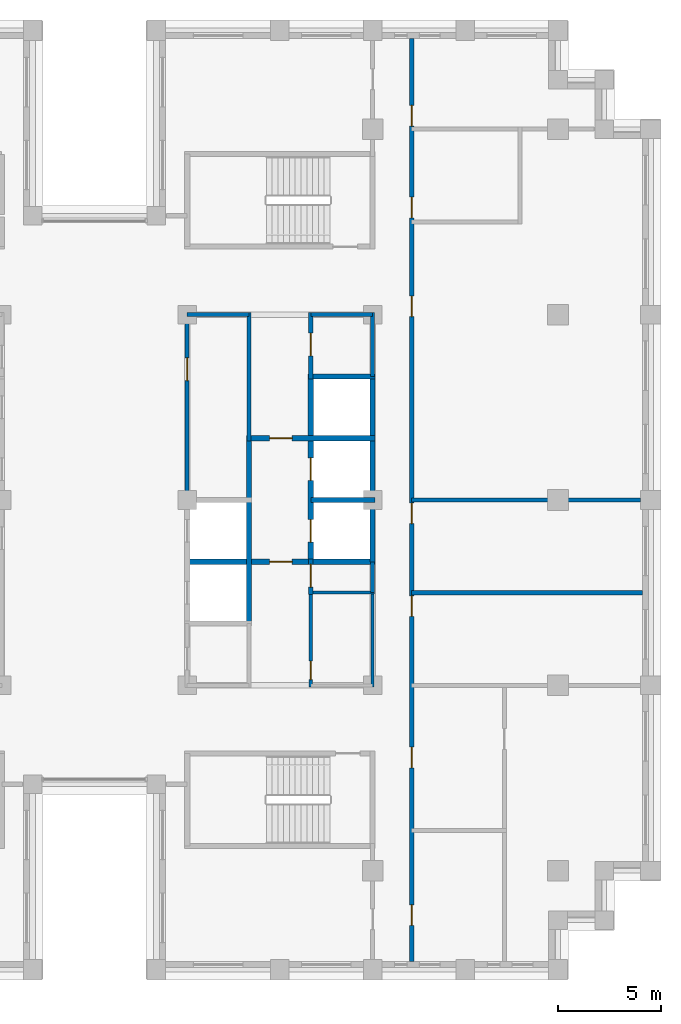
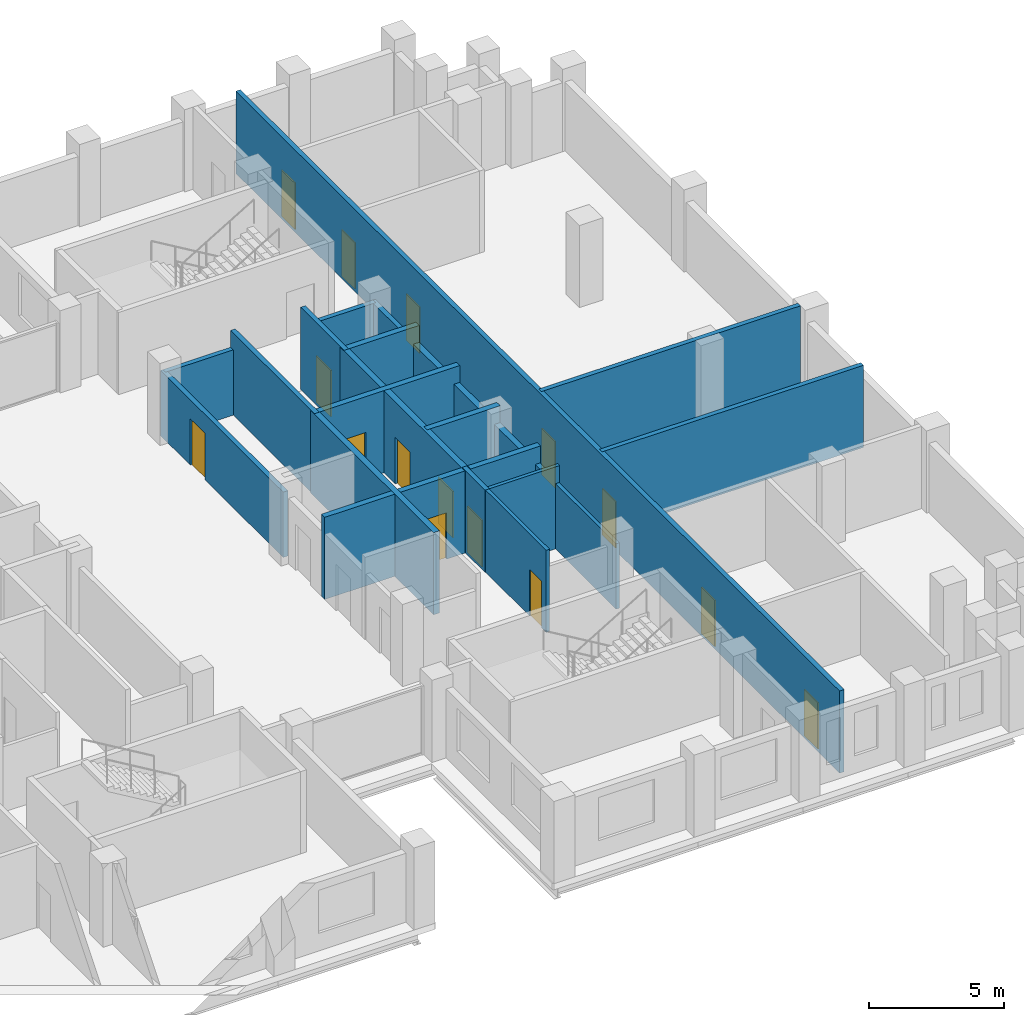
# One storey, part 9 of 15: 21 walls, 15 doors, 15 openings.
"""IFC4 building model written with IfcOpenShell, lengths in metres."""

from ifc_helpers import new_model, si_unit, direction, frame, frame_2d, origin, place, context, subcontext, project, spatial, rectangle, extrude, material, layer, layer_set, type_object, element, fill, save


model = new_model("IFC4")

# Units and contexts
model_context = context("Model", 3, precision=1e-05, world=origin(), true_north=direction((0.0, 1.0)))
body_context = subcontext(model_context, "Body", "Model", "MODEL_VIEW")
ifc_project = project(units=[si_unit("LENGTHUNIT", "METRE"), si_unit("AREAUNIT", "SQUARE_METRE"), si_unit("VOLUMEUNIT", "CUBIC_METRE"), si_unit("PLANEANGLEUNIT", "RADIAN"), si_unit("MASSUNIT", "GRAM", prefix="KILO")], contexts=[model_context])

# Site, building, storey
site_placement = place(None, origin())
site = spatial("IfcSite", under=ifc_project, at=site_placement, CompositionType="ELEMENT")
building_placement = place(site_placement, origin())
building = spatial("IfcBuilding", under=site, at=building_placement, Name="Corbelhall Arena Tower", CompositionType="ELEMENT")
storey_placement = place(building_placement, frame((0.0, 0.0, 216.0)))
storey = spatial("IfcBuildingStorey", under=building, at=storey_placement, Name="L45", CompositionType="ELEMENT", Elevation=216.0)

# Wall, openings, doors
ifc_material_1 = material(Name="Gypsum board on steel stud, acoustic", Category="steel")
ifc_layer_1 = layer(ifc_material_1, 0.199951171875)
ifc_layer_set_1 = layer_set([ifc_layer_1], Name="IN-W-DM200")
wall_type_1 = type_object("IfcWallType", Name="IN-W-DM200", PredefinedType="PARTITIONING", material=ifc_layer_set_1)
wall_1_placement = place(storey_placement, frame((15.39990234375, 22.39990234375, 0.0), z_axis=(0.0, 0.0, 1.0), x_axis=(0.0, -1.0, 0.0)))
wall_1 = element("IfcWall", 1, at=wall_1_placement, inside=storey, type_object=wall_type_1, Name="Partition 026", PredefinedType="PARTITIONING", context=body_context, shape_type="SweptSolid", body=[
    extrude(rectangle(XDim=44.7998046875, YDim=0.199951171875, at=frame_2d((22.39990234375, 0.0))), origin(), (0.0, 0.0, 1.0), 3.719970703125),
])
opening_1_placement = place(wall_1_placement, frame((12.5, 0.0, 0.0)))
opening_1 = element("IfcOpeningElement", 2, at=opening_1_placement, cuts=wall_1, Name="Opening 13032", PredefinedType="OPENING", context=body_context, shape_type="SweptSolid", body=[
    extrude(rectangle(XDim=1.0, YDim=2.10009765625, at=frame_2d((0.5, 1.050048828125))), frame((0.0, 0.10009765625, 0.0), z_axis=(0.0, -1.0, 0.0), x_axis=(1.0, 0.0, 0.0)), (0.0, 0.0, 1.0), 0.199951171875),
])
opening_2_placement = place(wall_1_placement, frame((7.699951171875, 0.0, 0.0)))
opening_2 = element("IfcOpeningElement", 3, at=opening_2_placement, cuts=wall_1, Name="Opening 13033", PredefinedType="OPENING", context=body_context, shape_type="SweptSolid", body=[
    extrude(rectangle(XDim=1.0, YDim=2.10009765625, at=frame_2d((0.5, 1.050048828125))), frame((0.0, 0.10009765625, 0.0), z_axis=(0.0, -1.0, 0.0), x_axis=(1.0, 0.0, 0.0)), (0.0, 0.0, 1.0), 0.199951171875),
])
opening_3_placement = place(wall_1_placement, frame((3.25, 0.0, 0.0)))
opening_3 = element("IfcOpeningElement", 4, at=opening_3_placement, cuts=wall_1, Name="Opening 13034", PredefinedType="OPENING", context=body_context, shape_type="SweptSolid", body=[
    extrude(rectangle(XDim=1.0, YDim=2.10009765625, at=frame_2d((0.5, 1.050048828125))), frame((0.0, 0.10009765625, 0.0), z_axis=(0.0, -1.0, 0.0), x_axis=(1.0, 0.0, 0.0)), (0.0, 0.0, 1.0), 0.199951171875),
])
opening_4_placement = place(wall_1_placement, frame((42.050048828125, 0.0, 0.0)))
opening_4 = element("IfcOpeningElement", 5, at=opening_4_placement, cuts=wall_1, Name="Opening 13035", PredefinedType="OPENING", context=body_context, shape_type="SweptSolid", body=[
    extrude(rectangle(XDim=1.0, YDim=2.10009765625, at=frame_2d((0.5, 1.050048828125))), frame((0.0, 0.10009765625, 0.0), z_axis=(0.0, -1.0, 0.0), x_axis=(1.0, 0.0, 0.0)), (0.0, 0.0, 1.0), 0.199951171875),
])
opening_5_placement = place(wall_1_placement, frame((34.39990234375, 0.0, 0.0)))
opening_5 = element("IfcOpeningElement", 6, at=opening_5_placement, cuts=wall_1, Name="Opening 13036", PredefinedType="OPENING", context=body_context, shape_type="SweptSolid", body=[
    extrude(rectangle(XDim=1.0, YDim=2.10009765625, at=frame_2d((0.5, 1.050048828125))), frame((0.0, 0.10009765625, 0.0), z_axis=(0.0, -1.0, 0.0), x_axis=(1.0, 0.0, 0.0)), (0.0, 0.0, 1.0), 0.199951171875),
])
opening_6_placement = place(wall_1_placement, frame((27.050048828125, 0.0, 0.0)))
opening_6 = element("IfcOpeningElement", 7, at=opening_6_placement, cuts=wall_1, Name="Opening 13038", PredefinedType="OPENING", context=body_context, shape_type="SweptSolid", body=[
    extrude(rectangle(XDim=1.0, YDim=2.10009765625, at=frame_2d((0.5, 1.050048828125))), frame((0.0, 0.10009765625, 0.0), z_axis=(0.0, -1.0, 0.0), x_axis=(1.0, 0.0, 0.0)), (0.0, 0.0, 1.0), 0.199951171875),
])
opening_7_placement = place(wall_1_placement, frame((22.550048828125, 0.0, 0.0)))
opening_7 = element("IfcOpeningElement", 8, at=opening_7_placement, cuts=wall_1, Name="Opening 13039", PredefinedType="OPENING", context=body_context, shape_type="SweptSolid", body=[
    extrude(rectangle(XDim=1.0, YDim=2.10009765625, at=frame_2d((0.5, 1.050048828125))), frame((0.0, 0.10009765625, 0.0), z_axis=(0.0, -1.0, 0.0), x_axis=(1.0, 0.0, 0.0)), (0.0, 0.0, 1.0), 0.199951171875),
])
ifc_material_2 = material(Name="Steel door set", Category="steel")
door_type_1 = type_object("IfcDoorType", Name="IN-D-SW100", OperationType="NOTDEFINED", PredefinedType="DOOR", material=ifc_material_2)
door_1_placement = place(opening_1_placement, origin())
door_1 = element("IfcDoor", 9, at=door_1_placement, inside=storey, type_object=door_type_1, Name="Door 032", OperationType="SINGLE_SWING_LEFT", OverallHeight=2.10009765625, OverallWidth=1.0, PredefinedType="DOOR", context=body_context, shape_type="SweptSolid", body=[
    extrude(rectangle(XDim=1.0, YDim=2.10009765625, at=frame_2d((0.5, 1.050048828125))), frame((0.0, 0.02490234375, 0.0), z_axis=(0.0, -1.0, 0.0), x_axis=(1.0, 0.0, 0.0)), (0.0, 0.0, 1.0), 0.050048828125),
])
fill(opening_1, door_1)
door_2_placement = place(opening_2_placement, origin())
door_2 = element("IfcDoor", 10, at=door_2_placement, inside=storey, type_object=door_type_1, Name="Door 033", OperationType="SINGLE_SWING_RIGHT", OverallHeight=2.10009765625, OverallWidth=1.0, PredefinedType="DOOR", context=body_context, shape_type="SweptSolid", body=[
    extrude(rectangle(XDim=1.0, YDim=2.10009765625, at=frame_2d((0.5, 1.050048828125))), frame((0.0, 0.02490234375, 0.0), z_axis=(0.0, -1.0, 0.0), x_axis=(1.0, 0.0, 0.0)), (0.0, 0.0, 1.0), 0.050048828125),
])
fill(opening_2, door_2)
door_3_placement = place(opening_3_placement, origin())
door_3 = element("IfcDoor", 11, at=door_3_placement, inside=storey, type_object=door_type_1, Name="Door 034", OperationType="SINGLE_SWING_LEFT", OverallHeight=2.10009765625, OverallWidth=1.0, PredefinedType="DOOR", context=body_context, shape_type="SweptSolid", body=[
    extrude(rectangle(XDim=1.0, YDim=2.10009765625, at=frame_2d((0.5, 1.050048828125))), frame((0.0, 0.02490234375, 0.0), z_axis=(0.0, -1.0, 0.0), x_axis=(1.0, 0.0, 0.0)), (0.0, 0.0, 1.0), 0.050048828125),
])
fill(opening_3, door_3)
door_4_placement = place(opening_4_placement, origin())
door_4 = element("IfcDoor", 12, at=door_4_placement, inside=storey, type_object=door_type_1, Name="Door 035", OperationType="SINGLE_SWING_RIGHT", OverallHeight=2.10009765625, OverallWidth=1.0, PredefinedType="DOOR", context=body_context, shape_type="SweptSolid", body=[
    extrude(rectangle(XDim=1.0, YDim=2.10009765625, at=frame_2d((0.5, 1.050048828125))), frame((0.0, 0.02490234375, 0.0), z_axis=(0.0, -1.0, 0.0), x_axis=(1.0, 0.0, 0.0)), (0.0, 0.0, 1.0), 0.050048828125),
])
fill(opening_4, door_4)
door_5_placement = place(opening_5_placement, origin())
door_5 = element("IfcDoor", 13, at=door_5_placement, inside=storey, type_object=door_type_1, Name="Door 036", OperationType="SINGLE_SWING_LEFT", OverallHeight=2.10009765625, OverallWidth=1.0, PredefinedType="DOOR", context=body_context, shape_type="SweptSolid", body=[
    extrude(rectangle(XDim=1.0, YDim=2.10009765625, at=frame_2d((0.5, 1.050048828125))), frame((0.0, 0.02490234375, 0.0), z_axis=(0.0, -1.0, 0.0), x_axis=(1.0, 0.0, 0.0)), (0.0, 0.0, 1.0), 0.050048828125),
])
fill(opening_5, door_5)
door_6_placement = place(opening_6_placement, origin())
door_6 = element("IfcDoor", 14, at=door_6_placement, inside=storey, type_object=door_type_1, Name="Door 038", OperationType="SINGLE_SWING_LEFT", OverallHeight=2.10009765625, OverallWidth=1.0, PredefinedType="DOOR", context=body_context, shape_type="SweptSolid", body=[
    extrude(rectangle(XDim=1.0, YDim=2.10009765625, at=frame_2d((0.5, 1.050048828125))), frame((0.0, 0.02490234375, 0.0), z_axis=(0.0, -1.0, 0.0), x_axis=(1.0, 0.0, 0.0)), (0.0, 0.0, 1.0), 0.050048828125),
])
fill(opening_6, door_6)
door_7_placement = place(opening_7_placement, origin())
door_7 = element("IfcDoor", 15, at=door_7_placement, inside=storey, type_object=door_type_1, Name="Door 039", OperationType="SINGLE_SWING_RIGHT", OverallHeight=2.10009765625, OverallWidth=1.0, PredefinedType="DOOR", context=body_context, shape_type="SweptSolid", body=[
    extrude(rectangle(XDim=1.0, YDim=2.10009765625, at=frame_2d((0.5, 1.050048828125))), frame((0.0, 0.02490234375, 0.0), z_axis=(0.0, -1.0, 0.0), x_axis=(1.0, 0.0, 0.0)), (0.0, 0.0, 1.0), 0.050048828125),
])
fill(opening_7, door_7)

# Walls
wall_2_placement = place(storey_placement, frame((15.39990234375, -4.5, 0.0), z_axis=(0.0, 0.0, 1.0), x_axis=(1.0, 0.0, 0.0)))
element("IfcWall", 16, at=wall_2_placement, inside=storey, type_object=wall_type_1, Name="Partition 028", PredefinedType="PARTITIONING", context=body_context, shape_type="SweptSolid", body=[
    extrude(rectangle(XDim=11.2001953125, YDim=0.199951171875, at=frame_2d((5.60009765625, 0.0))), origin(), (0.0, 0.0, 1.0), 3.719970703125),
])
wall_3_placement = place(storey_placement, frame((26.5, 0.0, 0.0), z_axis=(0.0, 0.0, 1.0), x_axis=(-1.0, 0.0, 0.0)))
element("IfcWall", 17, at=wall_3_placement, inside=storey, type_object=wall_type_1, Name="Partition 033", PredefinedType="PARTITIONING", context=body_context, shape_type="SweptSolid", body=[
    extrude(rectangle(XDim=11.10009765625, YDim=0.199951171875, at=frame_2d((5.550048828125, 0.0))), origin(), (0.0, 0.0, 1.0), 3.719970703125),
])
ifc_material_3 = material(Name="Concrete block wall", Category="concrete")
ifc_layer_2 = layer(ifc_material_3, 0.199951171875)
ifc_layer_set_2 = layer_set([ifc_layer_2], Name="IN-W-RS200")
wall_type_2 = type_object("IfcWallType", Name="IN-W-RS200", PredefinedType="SOLIDWALL", material=ifc_layer_set_2)
wall_4_placement = place(storey_placement, frame((7.5, 9.10009765625, 0.0), z_axis=(0.0, 0.0, 1.0), x_axis=(0.0, -1.0, 0.0)))
element("IfcWall", 18, at=wall_4_placement, inside=storey, type_object=wall_type_2, Name="Partition 050", PredefinedType="SOLIDWALL", context=body_context, shape_type="SweptSolid", body=[
    extrude(rectangle(XDim=6.22509765625, YDim=0.199951171875, at=frame_2d((3.112548828125, 0.0))), origin(), (0.0, 0.0, 1.0), 3.719970703125),
])

# Wall, opening, door
wall_5_placement = place(storey_placement, frame((10.5, -2.875, 0.0), z_axis=(0.0, 0.0, 1.0), x_axis=(0.0, -1.0, 0.0)))
wall_5 = element("IfcWall", 19, at=wall_5_placement, inside=storey, type_object=wall_type_2, Name="Partition 051", PredefinedType="SOLIDWALL", context=body_context, shape_type="SweptSolid", body=[
    extrude(rectangle(XDim=1.699951171875, YDim=0.199951171875, at=frame_2d((0.85009765625, 0.0))), origin(), (0.0, 0.0, 1.0), 3.719970703125),
])
opening_8_placement = place(wall_5_placement, frame((0.25, 0.0, 0.0)))
opening_8 = element("IfcOpeningElement", 20, at=opening_8_placement, cuts=wall_5, Name="Opening 13013", PredefinedType="OPENING", context=body_context, shape_type="SweptSolid", body=[
    extrude(rectangle(XDim=1.10009765625, YDim=2.10009765625, at=frame_2d((0.550048828125, 1.050048828125))), frame((0.0, 0.10009765625, 0.0), z_axis=(0.0, -1.0, 0.0), x_axis=(1.0, 0.0, 0.0)), (0.0, 0.0, 1.0), 0.199951171875),
])
door_type_2 = type_object("IfcDoorType", Name="IN-D-FD110", OperationType="NOTDEFINED", PredefinedType="DOOR", material=ifc_material_2)
door_8_placement = place(opening_8_placement, origin())
door_8 = element("IfcDoor", 21, at=door_8_placement, inside=storey, type_object=door_type_2, Name="Door 013", OperationType="SINGLE_SWING_RIGHT", OverallHeight=2.10009765625, OverallWidth=1.10009765625, PredefinedType="DOOR", context=body_context, shape_type="SweptSolid", body=[
    extrude(rectangle(XDim=1.10009765625, YDim=2.10009765625, at=frame_2d((0.550048828125, 1.050048828125))), frame((0.0, 0.02490234375, 0.0), z_axis=(0.0, -1.0, 0.0), x_axis=(1.0, 0.0, 0.0)), (0.0, 0.0, 1.0), 0.050048828125),
])
fill(opening_8, door_8)

wall_6_placement = place(storey_placement, frame((10.5, 9.10009765625, 0.0), z_axis=(0.0, 0.0, 1.0), x_axis=(0.0, -1.0, 0.0)))
wall_6 = element("IfcWall", 22, at=wall_6_placement, inside=storey, type_object=wall_type_2, Name="Partition 053", PredefinedType="SOLIDWALL", context=body_context, shape_type="SweptSolid", body=[
    extrude(rectangle(XDim=3.22509765625, YDim=0.199951171875, at=frame_2d((1.612548828125, 0.0))), origin(), (0.0, 0.0, 1.0), 3.719970703125),
])
opening_9_placement = place(wall_6_placement, frame((1.0, 0.0, 0.0)))
opening_9 = element("IfcOpeningElement", 23, at=opening_9_placement, cuts=wall_6, Name="Opening 13014", PredefinedType="OPENING", context=body_context, shape_type="SweptSolid", body=[
    extrude(rectangle(XDim=1.10009765625, YDim=2.10009765625, at=frame_2d((0.550048828125, 1.050048828125))), frame((0.0, 0.10009765625, 0.0), z_axis=(0.0, -1.0, 0.0), x_axis=(1.0, 0.0, 0.0)), (0.0, 0.0, 1.0), 0.199951171875),
])
door_9_placement = place(opening_9_placement, origin())
door_9 = element("IfcDoor", 24, at=door_9_placement, inside=storey, type_object=door_type_2, Name="Door 014", OperationType="SINGLE_SWING_LEFT", OverallHeight=2.10009765625, OverallWidth=1.10009765625, PredefinedType="DOOR", context=body_context, shape_type="SweptSolid", body=[
    extrude(rectangle(XDim=1.10009765625, YDim=2.10009765625, at=frame_2d((0.550048828125, 1.050048828125))), frame((0.0, 0.02490234375, 0.0), z_axis=(0.0, -1.0, 0.0), x_axis=(1.0, 0.0, 0.0)), (0.0, 0.0, 1.0), 0.050048828125),
])
fill(opening_9, door_9)

ifc_layer_3 = layer(ifc_material_3, 0.199951171875)
ifc_layer_set_3 = layer_set([ifc_layer_3], Name="IN-W-RS200 under beam 762 mm")
wall_type_3 = type_object("IfcWallType", Name="IN-W-RS200 under beam 762 mm", PredefinedType="SOLIDWALL", material=ifc_layer_set_3)
wall_7_placement = place(storey_placement, frame((4.5, 0.0, 0.0), z_axis=(0.0, 0.0, 1.0), x_axis=(0.0, 1.0, 0.0)))
wall_7 = element("IfcWall", 25, at=wall_7_placement, inside=storey, type_object=wall_type_3, Name="Partition 046", PredefinedType="SOLIDWALL", context=body_context, shape_type="SweptSolid", body=[
    extrude(rectangle(XDim=9.10009765625, YDim=0.199951171875, at=frame_2d((4.550048828125, 0.0))), origin(), (0.0, 0.0, 1.0), 2.9580078125),
])
opening_10_placement = place(wall_7_placement, frame((5.800048828125, 0.0, 0.0)))
opening_10 = element("IfcOpeningElement", 26, at=opening_10_placement, cuts=wall_7, Name="Opening 13009", PredefinedType="OPENING", context=body_context, shape_type="SweptSolid", body=[
    extrude(rectangle(XDim=1.10009765625, YDim=2.10009765625, at=frame_2d((0.550048828125, 1.050048828125))), frame((0.0, 0.10009765625, 0.0), z_axis=(0.0, -1.0, 0.0), x_axis=(1.0, 0.0, 0.0)), (0.0, 0.0, 1.0), 0.199951171875),
])
door_10_placement = place(opening_10_placement, origin())
door_10 = element("IfcDoor", 27, at=door_10_placement, inside=storey, type_object=door_type_2, Name="Door 009", OperationType="SINGLE_SWING_RIGHT", OverallHeight=2.10009765625, OverallWidth=1.10009765625, PredefinedType="DOOR", context=body_context, shape_type="SweptSolid", body=[
    extrude(rectangle(XDim=1.10009765625, YDim=2.10009765625, at=frame_2d((0.550048828125, 1.050048828125))), frame((0.0, 0.02490234375, 0.0), z_axis=(0.0, -1.0, 0.0), x_axis=(1.0, 0.0, 0.0)), (0.0, 0.0, 1.0), 0.050048828125),
])
fill(opening_10, door_10)

# Walls
for number, where, z_axis, x_axis, name in (
    (28, (4.5, 9.0, 0.0), (0.0, 0.0, 1.0), (1.0, 0.0, 0.0), "Partition 047"),
    (29, (10.5, 9.0, 0.0), (0.0, 0.0, 1.0), (1.0, 0.0, 0.0), "Partition 052"),
):
    element("IfcWall", number, at=place(storey_placement, frame(where, z_axis=z_axis, x_axis=x_axis)), inside=storey, type_object=wall_type_3, Name=name, PredefinedType="SOLIDWALL", context=body_context, shape_type="SweptSolid", body=[
        extrude(rectangle(XDim=3.0, YDim=0.199951171875, at=frame_2d((1.5, 0.0))), origin(), (0.0, 0.0, 1.0), 2.9580078125),
    ])
wall_8_placement = place(storey_placement, frame((13.5, -3.0, 0.0), z_axis=(0.0, 0.0, 1.0), x_axis=(0.0, -1.0, 0.0)))
element("IfcWall", 30, at=wall_8_placement, inside=storey, type_object=wall_type_3, Name="Partition 054", PredefinedType="SOLIDWALL", context=body_context, shape_type="SweptSolid", body=[
    extrude(rectangle(XDim=1.5, YDim=0.199951171875, at=frame_2d((0.75, 0.0))), origin(), (0.0, 0.0, 1.0), 2.9580078125),
])
wall_9_placement = place(storey_placement, frame((13.5, 9.10009765625, 0.0), z_axis=(0.0, 0.0, 1.0), x_axis=(0.0, -1.0, 0.0)))
element("IfcWall", 31, at=wall_9_placement, inside=storey, type_object=wall_type_3, Name="Partition 055", PredefinedType="SOLIDWALL", context=body_context, shape_type="SweptSolid", body=[
    extrude(rectangle(XDim=3.10009765625, YDim=0.199951171875, at=frame_2d((1.550048828125, 0.0))), origin(), (0.0, 0.0, 1.0), 2.9580078125),
])

# Wall, opening, door
ifc_material_4 = material(Name="Concrete C40/50", Category="concrete")
ifc_layer_4 = layer(ifc_material_4, 0.25)
ifc_layer_set_4 = layer_set([ifc_layer_4], Name="IN-W-SH250")
wall_type_4 = type_object("IfcWallType", Name="IN-W-SH250", PredefinedType="SOLIDWALL", material=ifc_layer_set_4)
wall_10_placement = place(storey_placement, frame((4.375, -3.0, 0.0), z_axis=(0.0, 0.0, 1.0), x_axis=(1.0, 0.0, 0.0)))
wall_10 = element("IfcWall", 32, at=wall_10_placement, inside=storey, type_object=wall_type_4, Name="Shaft wall 066", PredefinedType="SOLIDWALL", context=body_context, shape_type="SweptSolid", body=[
    extrude(rectangle(XDim=9.25, YDim=0.25, at=frame_2d((4.625, 0.0))), origin(), (0.0, 0.0, 1.0), 3.719970703125),
])
opening_11_placement = place(wall_10_placement, frame((4.125, 0.0, 0.0)))
opening_11 = element("IfcOpeningElement", 33, at=opening_11_placement, cuts=wall_10, Name="Opening 13010", PredefinedType="OPENING", context=body_context, shape_type="SweptSolid", body=[
    extrude(rectangle(XDim=1.10009765625, YDim=2.10009765625, at=frame_2d((0.550048828125, 1.050048828125))), frame((0.0, 0.125, 0.0), z_axis=(0.0, -1.0, 0.0), x_axis=(1.0, 0.0, 0.0)), (0.0, 0.0, 1.0), 0.25),
])
door_11_placement = place(opening_11_placement, origin())
door_11 = element("IfcDoor", 34, at=door_11_placement, inside=storey, type_object=door_type_2, Name="Door 010", OperationType="SINGLE_SWING_LEFT", OverallHeight=2.10009765625, OverallWidth=1.10009765625, PredefinedType="DOOR", context=body_context, shape_type="SweptSolid", body=[
    extrude(rectangle(XDim=1.10009765625, YDim=2.10009765625, at=frame_2d((0.550048828125, 1.050048828125))), frame((0.0, 0.02490234375, 0.0), z_axis=(0.0, -1.0, 0.0), x_axis=(1.0, 0.0, 0.0)), (0.0, 0.0, 1.0), 0.050048828125),
])
fill(opening_11, door_11)

# Wall
wall_11_placement = place(storey_placement, frame((7.5, 3.125, 0.0), z_axis=(0.0, 0.0, 1.0), x_axis=(0.0, -1.0, 0.0)))
element("IfcWall", 35, at=wall_11_placement, inside=storey, type_object=wall_type_4, Name="Shaft wall 069", PredefinedType="SOLIDWALL", context=body_context, shape_type="SweptSolid", body=[
    extrude(rectangle(XDim=9.125, YDim=0.25, at=frame_2d((4.5625, 0.0))), origin(), (0.0, 0.0, 1.0), 3.719970703125),
])

# Wall, opening, door
wall_12_placement = place(storey_placement, frame((7.5, 3.0, 0.0), z_axis=(0.0, 0.0, 1.0), x_axis=(1.0, 0.0, 0.0)))
wall_12 = element("IfcWall", 36, at=wall_12_placement, inside=storey, type_object=wall_type_4, Name="Shaft wall 070", PredefinedType="SOLIDWALL", context=body_context, shape_type="SweptSolid", body=[
    extrude(rectangle(XDim=6.125, YDim=0.25, at=frame_2d((3.0625, 0.0))), origin(), (0.0, 0.0, 1.0), 3.719970703125),
])
opening_12_placement = place(wall_12_placement, frame((1.0, 0.0, 0.0)))
opening_12 = element("IfcOpeningElement", 37, at=opening_12_placement, cuts=wall_12, Name="Opening 13011", PredefinedType="OPENING", context=body_context, shape_type="SweptSolid", body=[
    extrude(rectangle(XDim=1.10009765625, YDim=2.10009765625, at=frame_2d((0.550048828125, 1.050048828125))), frame((0.0, 0.125, 0.0), z_axis=(0.0, -1.0, 0.0), x_axis=(1.0, 0.0, 0.0)), (0.0, 0.0, 1.0), 0.25),
])
door_12_placement = place(opening_12_placement, origin())
door_12 = element("IfcDoor", 38, at=door_12_placement, inside=storey, type_object=door_type_2, Name="Door 011", OperationType="SINGLE_SWING_RIGHT", OverallHeight=2.10009765625, OverallWidth=1.10009765625, PredefinedType="DOOR", context=body_context, shape_type="SweptSolid", body=[
    extrude(rectangle(XDim=1.10009765625, YDim=2.10009765625, at=frame_2d((0.550048828125, 1.050048828125))), frame((0.0, 0.02490234375, 0.0), z_axis=(0.0, -1.0, 0.0), x_axis=(1.0, 0.0, 0.0)), (0.0, 0.0, 1.0), 0.050048828125),
])
fill(opening_12, door_12)

# Wall
wall_13_placement = place(storey_placement, frame((10.5, 0.0, 0.0), z_axis=(0.0, 0.0, 1.0), x_axis=(1.0, 0.0, 0.0)))
element("IfcWall", 39, at=wall_13_placement, inside=storey, type_object=wall_type_4, Name="Shaft wall 071", PredefinedType="SOLIDWALL", context=body_context, shape_type="SweptSolid", body=[
    extrude(rectangle(XDim=3.125, YDim=0.25, at=frame_2d((1.5625, 0.0))), origin(), (0.0, 0.0, 1.0), 3.719970703125),
])

# Wall, openings, doors
wall_14_placement = place(storey_placement, frame((10.5, 6.125, 0.0), z_axis=(0.0, 0.0, 1.0), x_axis=(0.0, -1.0, 0.0)))
wall_14 = element("IfcWall", 40, at=wall_14_placement, inside=storey, type_object=wall_type_4, Name="Shaft wall 072", PredefinedType="SOLIDWALL", context=body_context, shape_type="SweptSolid", body=[
    extrude(rectangle(XDim=9.25, YDim=0.25, at=frame_2d((4.625, 0.0))), origin(), (0.0, 0.0, 1.0), 3.719970703125),
])
opening_13_placement = place(wall_14_placement, frame((7.074951171875, 0.0, 0.0)))
opening_13 = element("IfcOpeningElement", 41, at=opening_13_placement, cuts=wall_14, Name="Opening LD", PredefinedType="OPENING", context=body_context, shape_type="SweptSolid", body=[
    extrude(rectangle(XDim=1.10009765625, YDim=2.10009765625, at=frame_2d((0.550048828125, 1.050048828125))), frame((0.0, 0.125, 0.0), z_axis=(0.0, -1.0, 0.0), x_axis=(1.0, 0.0, 0.0)), (0.0, 0.0, 1.0), 0.25),
])
opening_14_placement = place(wall_14_placement, frame((4.074951171875, 0.0, 0.0)))
opening_14 = element("IfcOpeningElement", 42, at=opening_14_placement, cuts=wall_14, Name="Opening LD", PredefinedType="OPENING", context=body_context, shape_type="SweptSolid", body=[
    extrude(rectangle(XDim=1.10009765625, YDim=2.10009765625, at=frame_2d((0.550048828125, 1.050048828125))), frame((0.0, 0.125, 0.0), z_axis=(0.0, -1.0, 0.0), x_axis=(1.0, 0.0, 0.0)), (0.0, 0.0, 1.0), 0.25),
])
door_type_3 = type_object("IfcDoorType", Name="IN-D-LD110", OperationType="NOTDEFINED", PredefinedType="DOOR", material=ifc_material_2)
door_13_placement = place(opening_13_placement, origin())
door_13 = element("IfcDoor", 43, at=door_13_placement, inside=storey, type_object=door_type_3, Name="Landing door E3", OperationType="SLIDING_TO_LEFT", OverallHeight=2.10009765625, OverallWidth=1.10009765625, PredefinedType="DOOR", context=body_context, shape_type="SweptSolid", body=[
    extrude(rectangle(XDim=1.10009765625, YDim=2.10009765625, at=frame_2d((0.550048828125, 1.050048828125))), frame((0.0, 0.02490234375, 0.0), z_axis=(0.0, -1.0, 0.0), x_axis=(1.0, 0.0, 0.0)), (0.0, 0.0, 1.0), 0.050048828125),
])
fill(opening_13, door_13)
door_14_placement = place(opening_14_placement, origin())
door_14 = element("IfcDoor", 44, at=door_14_placement, inside=storey, type_object=door_type_3, Name="Landing door E4", OperationType="SLIDING_TO_LEFT", OverallHeight=2.10009765625, OverallWidth=1.10009765625, PredefinedType="DOOR", context=body_context, shape_type="SweptSolid", body=[
    extrude(rectangle(XDim=1.10009765625, YDim=2.10009765625, at=frame_2d((0.550048828125, 1.050048828125))), frame((0.0, 0.02490234375, 0.0), z_axis=(0.0, -1.0, 0.0), x_axis=(1.0, 0.0, 0.0)), (0.0, 0.0, 1.0), 0.050048828125),
])
fill(opening_14, door_14)

# Walls
wall_15_placement = place(storey_placement, frame((10.5, 6.0, 0.0), z_axis=(0.0, 0.0, 1.0), x_axis=(1.0, 0.0, 0.0)))
element("IfcWall", 45, at=wall_15_placement, inside=storey, type_object=wall_type_4, Name="Shaft wall 073", PredefinedType="SOLIDWALL", context=body_context, shape_type="SweptSolid", body=[
    extrude(rectangle(XDim=3.125, YDim=0.25, at=frame_2d((1.5625, 0.0))), origin(), (0.0, 0.0, 1.0), 3.719970703125),
])
ifc_layer_5 = layer(ifc_material_4, 0.25)
ifc_layer_set_5 = layer_set([ifc_layer_5], Name="IN-W-SH250 under beam 762 mm")
wall_type_5 = type_object("IfcWallType", Name="IN-W-SH250 under beam 762 mm", PredefinedType="SOLIDWALL", material=ifc_layer_set_5)
wall_16_placement = place(storey_placement, frame((13.5, 6.0, 0.0), z_axis=(0.0, 0.0, 1.0), x_axis=(0.0, -1.0, 0.0)))
element("IfcWall", 46, at=wall_16_placement, inside=storey, type_object=wall_type_5, Name="Shaft wall 074", PredefinedType="SOLIDWALL", context=body_context, shape_type="SweptSolid", body=[
    extrude(rectangle(XDim=9.0, YDim=0.25, at=frame_2d((4.5, 0.0))), origin(), (0.0, 0.0, 1.0), 2.9580078125),
])
ifc_material_5 = material(Name="Gypsum board on steel stud, moisture resistant", Category="steel")
ifc_layer_6 = layer(ifc_material_5, 0.14990234375)
ifc_layer_set_6 = layer_set([ifc_layer_6], Name="IN-W-WC150")
wall_type_6 = type_object("IfcWallType", Name="IN-W-WC150", PredefinedType="PARTITIONING", material=ifc_layer_set_6)
wall_17_placement = place(storey_placement, frame((10.5, -4.5, 0.0), z_axis=(0.0, 0.0, 1.0), x_axis=(1.0, 0.0, 0.0)))
element("IfcWall", 47, at=wall_17_placement, inside=storey, type_object=wall_type_6, Name="Partition 105", PredefinedType="PARTITIONING", context=body_context, shape_type="SweptSolid", body=[
    extrude(rectangle(XDim=3.10009765625, YDim=0.14990234375, at=frame_2d((1.550048828125, 0.0))), origin(), (0.0, 0.0, 1.0), 3.719970703125),
])

# Wall, opening, door
wall_18_placement = place(storey_placement, frame((10.5, -4.425048828125, 0.0), z_axis=(0.0, 0.0, 1.0), x_axis=(0.0, -1.0, 0.0)))
wall_18 = element("IfcWall", 48, at=wall_18_placement, inside=storey, type_object=wall_type_6, Name="Partition 106", PredefinedType="PARTITIONING", context=body_context, shape_type="SweptSolid", body=[
    extrude(rectangle(XDim=4.64990234375, YDim=0.14990234375, at=frame_2d((2.324951171875, 0.0))), origin(), (0.0, 0.0, 1.0), 3.719970703125),
])
opening_15_placement = place(wall_18_placement, frame((3.39990234375, 0.0, 0.0)))
opening_15 = element("IfcOpeningElement", 49, at=opening_15_placement, cuts=wall_18, Name="Opening 13012", PredefinedType="OPENING", context=body_context, shape_type="SweptSolid", body=[
    extrude(rectangle(XDim=0.89990234375, YDim=2.10009765625, at=frame_2d((0.449951171875, 1.050048828125))), frame((0.0, 0.074951171875, 0.0), z_axis=(0.0, -1.0, 0.0), x_axis=(1.0, 0.0, 0.0)), (0.0, 0.0, 1.0), 0.14990234375),
])
ifc_material_6 = material(Name="Timber door set", Category="wood")
door_type_4 = type_object("IfcDoorType", Name="IN-D-SW90", OperationType="NOTDEFINED", PredefinedType="DOOR", material=ifc_material_6)
door_15_placement = place(opening_15_placement, origin())
door_15 = element("IfcDoor", 50, at=door_15_placement, inside=storey, type_object=door_type_4, Name="Door 012", OperationType="SINGLE_SWING_LEFT", OverallHeight=2.10009765625, OverallWidth=0.89990234375, PredefinedType="DOOR", context=body_context, shape_type="SweptSolid", body=[
    extrude(rectangle(XDim=0.89990234375, YDim=2.10009765625, at=frame_2d((0.449951171875, 1.050048828125))), frame((0.0, 0.02490234375, 0.0), z_axis=(0.0, -1.0, 0.0), x_axis=(1.0, 0.0, 0.0)), (0.0, 0.0, 1.0), 0.050048828125),
])
fill(opening_15, door_15)

# Wall
ifc_layer_7 = layer(ifc_material_5, 0.14990234375)
ifc_layer_set_7 = layer_set([ifc_layer_7], Name="IN-W-WC150 under beam 762 mm")
wall_type_7 = type_object("IfcWallType", Name="IN-W-WC150 under beam 762 mm", PredefinedType="PARTITIONING", material=ifc_layer_set_7)
wall_19_placement = place(storey_placement, frame((13.5, -4.5, 0.0), z_axis=(0.0, 0.0, 1.0), x_axis=(0.0, -1.0, 0.0)))
element("IfcWall", 51, at=wall_19_placement, inside=storey, type_object=wall_type_7, Name="Partition 108", PredefinedType="PARTITIONING", context=body_context, shape_type="SweptSolid", body=[
    extrude(rectangle(XDim=4.574951171875, YDim=0.14990234375, at=frame_2d((2.28759765625, 0.0))), origin(), (0.0, 0.0, 1.0), 2.9580078125),
])

save(model, "model.ifc")
